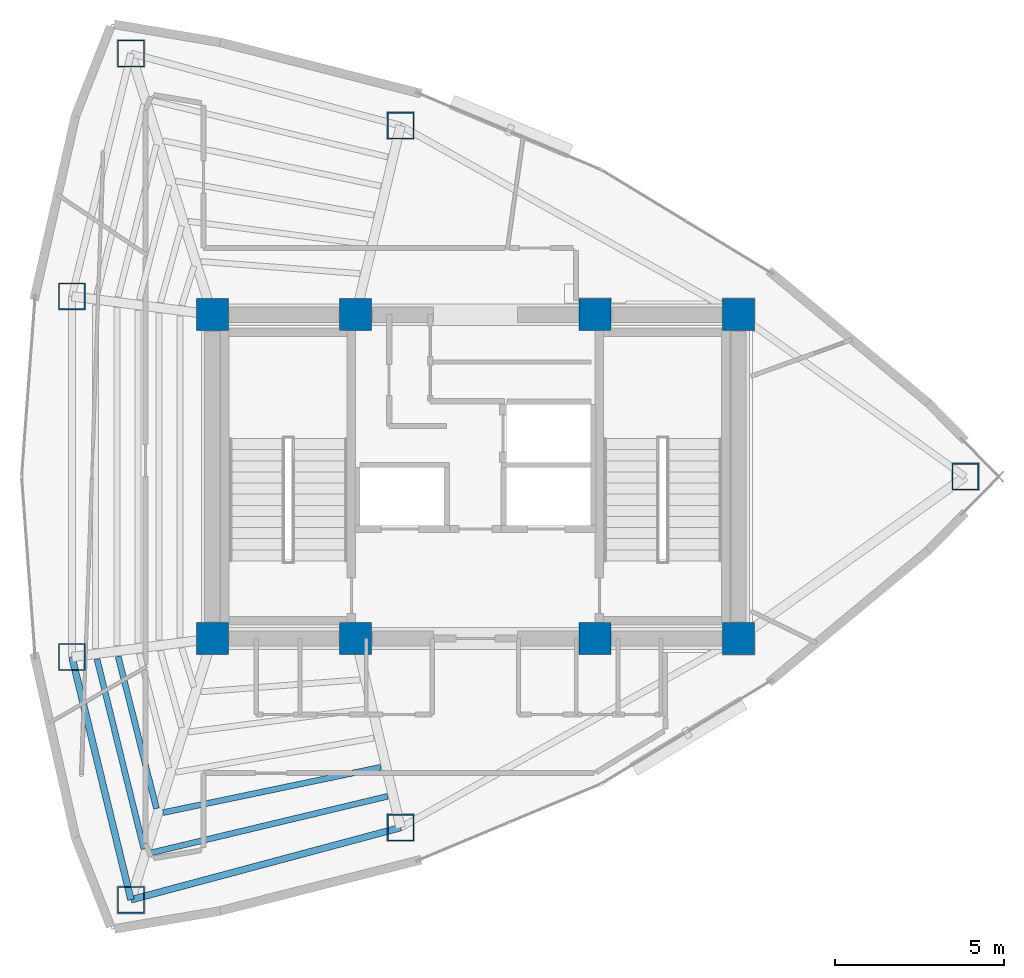
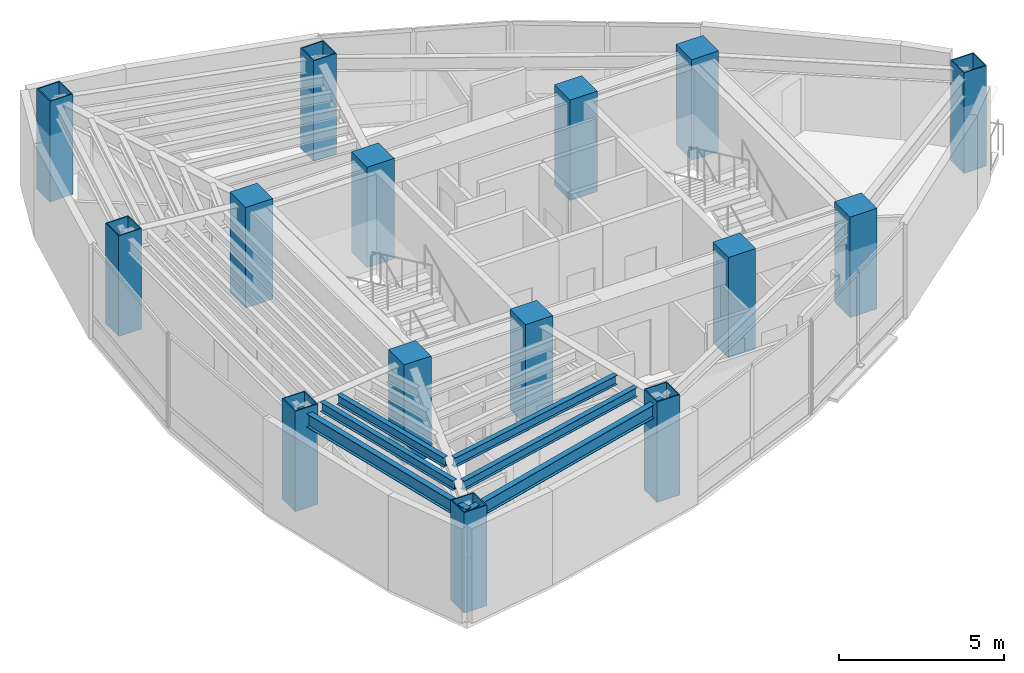
# One storey, part 1 of 16: 15 columns, 6 beams.
"""IFC4 building model written with IfcOpenShell, lengths in metres."""

from ifc_helpers import new_model, si_unit, direction, frame, origin, origin_2d, place, context, subcontext, project, spatial, rectangle, hollow_rectangle, i_section, extrude, material, material_profile, profile_set, type_object, element, save


model = new_model("IFC4")

# Units and contexts
model_context = context("Model", 3, precision=1e-05, world=origin(), true_north=direction((0.0, 1.0)))
body_context = subcontext(model_context, "Body", "Model", "MODEL_VIEW")
ifc_project = project(units=[si_unit("LENGTHUNIT", "METRE"), si_unit("AREAUNIT", "SQUARE_METRE"), si_unit("VOLUMEUNIT", "CUBIC_METRE"), si_unit("PLANEANGLEUNIT", "RADIAN"), si_unit("MASSUNIT", "GRAM", prefix="KILO")], contexts=[model_context])

# Site, building, storey
site_placement = place(None, origin())
site = spatial("IfcSite", under=ifc_project, at=site_placement, CompositionType="ELEMENT")
building_placement = place(site_placement, origin())
building = spatial("IfcBuilding", under=site, at=building_placement, Name="Menara Vayukalpa", CompositionType="ELEMENT")
storey_placement = place(building_placement, frame((0.0, 0.0, 273.179931640625)))
storey = spatial("IfcBuildingStorey", under=building, at=storey_placement, Name="L69", CompositionType="ELEMENT", Elevation=273.179931640625)

# Columns
ifc_material_1 = material(Name="Concrete C60/75", Category="concrete")
ifc_material_profile_1 = material_profile(ifc_material_1, rectangle(XDim=0.949951171875, YDim=0.949951171875, at=origin_2d()), Name="RC 950x950")
ifc_profile_set_1 = profile_set([ifc_material_profile_1], Name="Concrete C60/75")
column_type_1 = type_object("IfcColumnType", Name="COL-CC2", PredefinedType="COLUMN", material=ifc_profile_set_1)
for number, where, z_axis, x_axis, name in (
    (1, (17.800048828125, 17.199951171875, 0.0), (0.0, 0.0, 1.0), (1.0, 0.0, 0.0), "L69 Core Pilaster Column CC1"),
    (2, (22.050048828125, 17.199951171875, 0.0), (0.0, 0.0, 1.0), (1.0, 0.0, 0.0), "L69 Core Pilaster Column CC2"),
    (3, (29.14990234375, 17.199951171875, 0.0), (0.0, 0.0, 1.0), (1.0, 0.0, 0.0), "L69 Core Pilaster Column CC3"),
    (4, (33.39990234375, 17.199951171875, 0.0), (0.0, 0.0, 1.0), (1.0, 0.0, 0.0), "L69 Core Pilaster Column CC4"),
    (5, (17.800048828125, 26.800048828125, 0.0), (0.0, 0.0, 1.0), (1.0, 0.0, 0.0), "L69 Core Pilaster Column CC5"),
    (6, (22.050048828125, 26.800048828125, 0.0), (0.0, 0.0, 1.0), (1.0, 0.0, 0.0), "L69 Core Pilaster Column CC6"),
    (7, (29.14990234375, 26.800048828125, 0.0), (0.0, 0.0, 1.0), (1.0, 0.0, 0.0), "L69 Core Pilaster Column CC7"),
    (8, (33.39990234375, 26.800048828125, 0.0), (0.0, 0.0, 1.0), (1.0, 0.0, 0.0), "L69 Core Pilaster Column CC8"),
):
    element("IfcColumn", number, at=place(storey_placement, frame(where, z_axis=z_axis, x_axis=x_axis)), inside=storey, type_object=column_type_1, Name=name, PredefinedType="COLUMN", context=body_context, shape_type="SweptSolid", body=[
        extrude(rectangle(XDim=0.949951171875, YDim=0.949951171875, at=origin_2d()), origin(), (0.0, 0.0, 1.0), 3.719970703125),
    ])
ifc_material_2 = material(Name="Steel S355", Category="steel")
ifc_material_profile_2 = material_profile(ifc_material_2, hollow_rectangle(XDim=0.800048828125, YDim=0.800048828125, WallThickness=0.034912109375, at=origin_2d()), Name="BOX 800x800x35")
ifc_profile_set_2 = profile_set([ifc_material_profile_2], Name="Steel S355")
column_type_2 = type_object("IfcColumnType", Name="COL-MC5", PredefinedType="COLUMN", material=ifc_profile_set_2)
for number, where, z_axis, x_axis, name in (
    (9, (40.121826171875, 22.0, 0.0), (0.0, 0.0, 1.0), (1.0, 0.0, 0.0), "L69 Perimeter Mega Column P01"),
    (10, (23.3818359375, 32.40478515625, 0.0), (0.0, 0.0, 1.0), (1.0, 0.0, 0.0), "L69 Perimeter Mega Column P03"),
    (11, (15.38916015625, 34.544677734375, 0.0), (0.0, 0.0, 1.0), (1.0, 0.0, 0.0), "L69 Perimeter Mega Column P04"),
    (12, (13.638916015625, 27.3466796875, 0.0), (0.0, 0.0, 1.0), (1.0, 0.0, 0.0), "L69 Perimeter Mega Column P05"),
    (13, (13.638916015625, 16.6533203125, 0.0), (0.0, 0.0, 1.0), (1.0, 0.0, 0.0), "L69 Perimeter Mega Column P06"),
    (14, (15.38916015625, 9.455322265625, 0.0), (0.0, 0.0, 1.0), (1.0, 0.0, 0.0), "L69 Perimeter Mega Column P07"),
    (15, (23.3818359375, 11.59521484375, 0.0), (0.0, 0.0, 1.0), (1.0, 0.0, 0.0), "L69 Perimeter Mega Column P08"),
):
    element("IfcColumn", number, at=place(storey_placement, frame(where, z_axis=z_axis, x_axis=x_axis)), inside=storey, type_object=column_type_2, Name=name, PredefinedType="COLUMN", context=body_context, shape_type="SweptSolid", body=[
        extrude(hollow_rectangle(XDim=0.800048828125, YDim=0.800048828125, WallThickness=0.034912109375, at=origin_2d()), origin(), (0.0, 0.0, 1.0), 3.719970703125),
    ])

# Beams
ifc_material_3 = material(Name="Steel S355", Category="steel")
ifc_material_profile_3 = material_profile(ifc_material_3, i_section(OverallWidth=0.175048828125, OverallDepth=0.35009765625, WebThickness=0.007080078125, FlangeThickness=0.010986328125, at=origin_2d()), Name="WF 350x175x7x11")
ifc_profile_set_3 = profile_set([ifc_material_profile_3], Name="Steel S355")
beam_type_1 = type_object("IfcBeamType", Name="BM-SJ3", PredefinedType="JOIST", material=ifc_profile_set_3)
beam_1_placement = place(storey_placement, frame((15.008544921875, 16.6728515625, 3.324951171875), z_axis=(0.244239657645, -0.969714901212, 0.0), x_axis=(0.969714901212, 0.244239657645, 0.0)))
element("IfcBeam", 16, at=beam_1_placement, inside=storey, type_object=beam_type_1, Name="L69 Secondary Floor Joist SJ06-4", PredefinedType="JOIST", context=body_context, shape_type="SweptSolid", body=[
    extrude(i_section(OverallWidth=0.175048828125, OverallDepth=0.35009765625, WebThickness=0.007080078125, FlangeThickness=0.010986328125, at=origin_2d()), origin(), (0.0, 0.0, 1.0), 4.651123046875),
])
beam_2_placement = place(storey_placement, frame((14.381591796875, 16.590576171875, 3.324951171875), z_axis=(0.239690910211, -0.970849250688, 0.0), x_axis=(0.970849250688, 0.239690910211, 0.0)))
element("IfcBeam", 17, at=beam_2_placement, inside=storey, type_object=beam_type_1, Name="L69 Secondary Floor Joist SJ06-5", PredefinedType="JOIST", context=body_context, shape_type="SweptSolid", body=[
    extrude(i_section(OverallWidth=0.175048828125, OverallDepth=0.35009765625, WebThickness=0.007080078125, FlangeThickness=0.010986328125, at=origin_2d()), origin(), (0.0, 0.0, 1.0), 5.797607421875),
])
beam_3_placement = place(storey_placement, frame((16.340087890625, 12.0400390625, 3.324951171875), z_axis=(0.978940645958, 0.204145075108, 0.0), x_axis=(-0.204145075108, 0.978940645958, 0.0)))
element("IfcBeam", 18, at=beam_3_placement, inside=storey, type_object=beam_type_1, Name="L69 Secondary Floor Joist SJ07-4", PredefinedType="JOIST", context=body_context, shape_type="SweptSolid", body=[
    extrude(i_section(OverallWidth=0.175048828125, OverallDepth=0.35009765625, WebThickness=0.007080078125, FlangeThickness=0.010986328125, at=origin_2d()), origin(), (0.0, 0.0, 1.0), 6.5908203125),
])
beam_4_placement = place(storey_placement, frame((15.96533203125, 10.843505859375, 3.324951171875), z_axis=(0.972633830791, 0.232343347656, 0.0), x_axis=(-0.232343347656, 0.972633830791, 0.0)))
element("IfcBeam", 19, at=beam_4_placement, inside=storey, type_object=beam_type_1, Name="L69 Secondary Floor Joist SJ07-5", PredefinedType="JOIST", context=body_context, shape_type="SweptSolid", body=[
    extrude(i_section(OverallWidth=0.175048828125, OverallDepth=0.35009765625, WebThickness=0.007080078125, FlangeThickness=0.010986328125, at=origin_2d()), origin(), (0.0, 0.0, 1.0), 7.229248046875),
])
ifc_material_4 = material(Name="Steel S355", Category="steel")
ifc_material_profile_4 = material_profile(ifc_material_4, i_section(OverallWidth=0.199951171875, OverallDepth=0.5, WebThickness=0.010009765625, FlangeThickness=0.01611328125, at=origin_2d()), Name="WF 500x200x10x16")
ifc_profile_set_4 = profile_set([ifc_material_profile_4], Name="Steel S355")
beam_type_2 = type_object("IfcBeamType", Name="BM-SP3", PredefinedType="SPANDREL", material=ifc_profile_set_4)
beam_5_placement = place(storey_placement, frame((13.638916015625, 16.6533203125, 3.25), z_axis=(0.236272525754, -0.97168682896, 0.0), x_axis=(0.97168682896, 0.236272525754, 0.0)))
element("IfcBeam", 20, at=beam_5_placement, inside=storey, type_object=beam_type_2, Name="L69 Perimeter Spandrel Beam SP06", PredefinedType="SPANDREL", context=body_context, shape_type="SweptSolid", body=[
    extrude(i_section(OverallWidth=0.199951171875, OverallDepth=0.5, WebThickness=0.010009765625, FlangeThickness=0.01611328125, at=origin_2d()), origin(), (0.0, 0.0, 1.0), 7.40771484375),
])
beam_6_placement = place(storey_placement, frame((15.38916015625, 9.455322265625, 3.25), z_axis=(0.965978332552, 0.258623009494, 0.0), x_axis=(-0.258623009494, 0.965978332552, 0.0)))
element("IfcBeam", 21, at=beam_6_placement, inside=storey, type_object=beam_type_2, Name="L69 Perimeter Spandrel Beam SP07", PredefinedType="SPANDREL", context=body_context, shape_type="SweptSolid", body=[
    extrude(i_section(OverallWidth=0.199951171875, OverallDepth=0.5, WebThickness=0.010009765625, FlangeThickness=0.01611328125, at=origin_2d()), origin(), (0.0, 0.0, 1.0), 8.274169921875),
])

save(model, "model.ifc")
